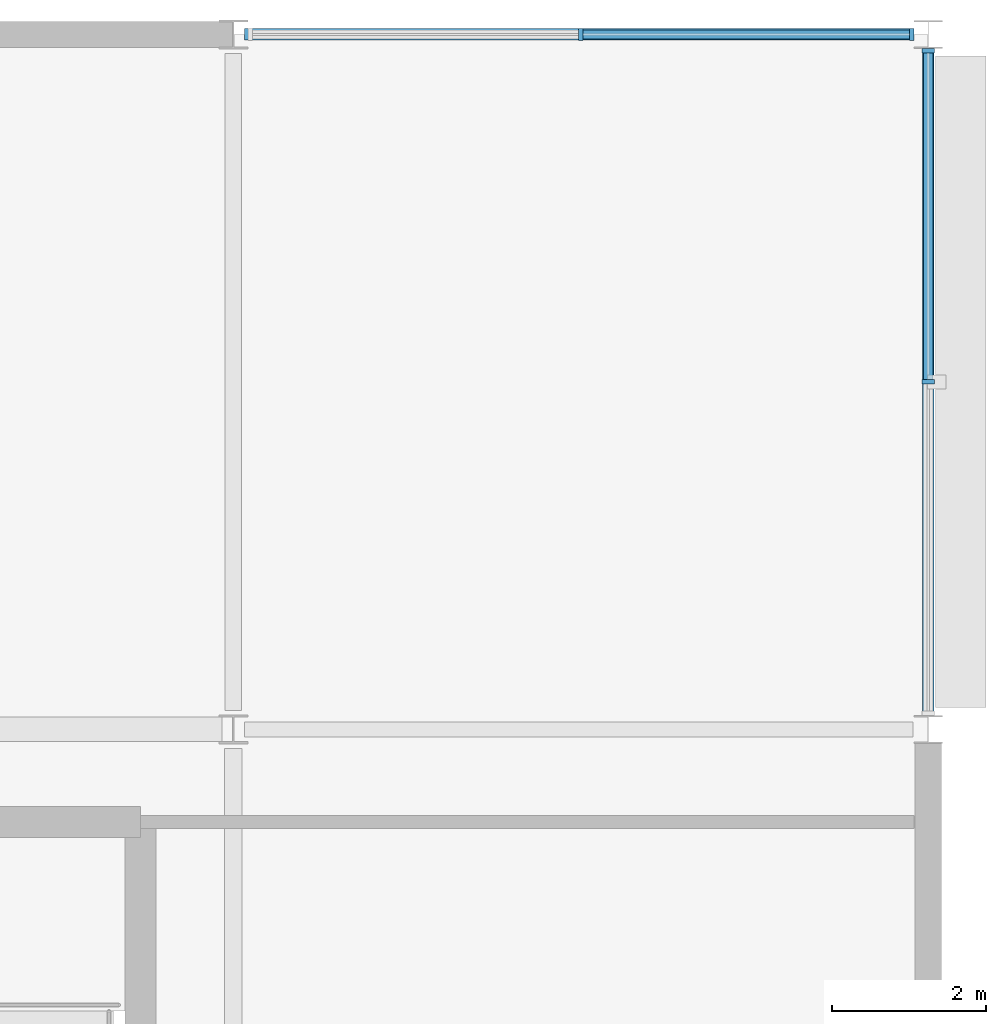
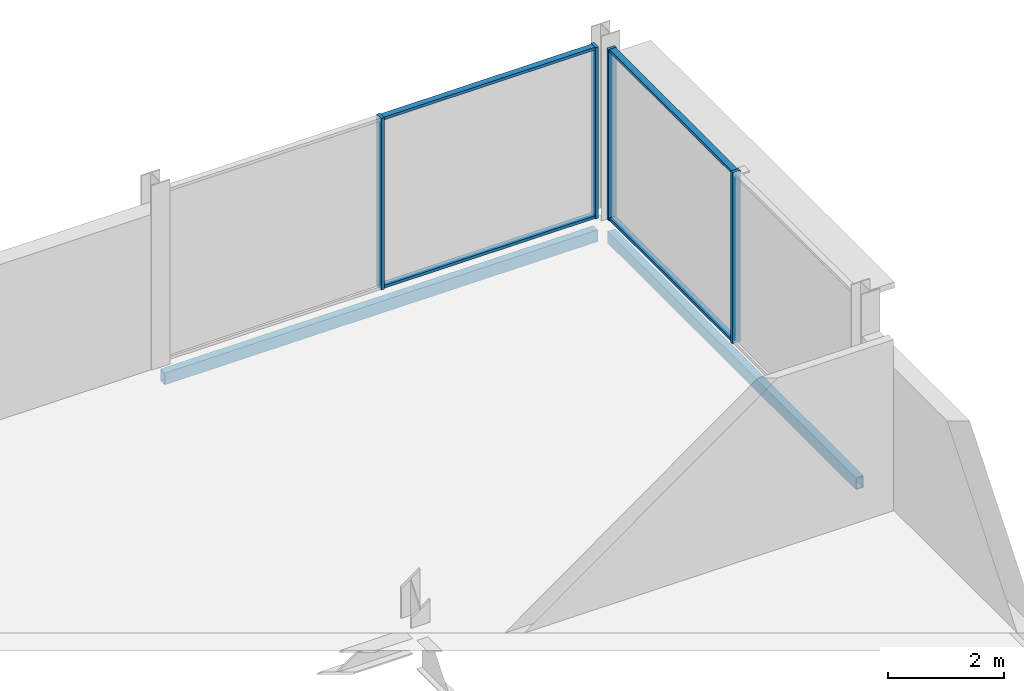
# One storey, part 53 of 98: 8 members, 2 beams, 2 elements without a shape of their own.
"""IFC4 building model written with IfcOpenShell, lengths in metres."""

from ifc_helpers import new_model, si_unit, direction, frame, origin, origin_2d, place, context, subcontext, project, spatial, rectangle, hollow_rectangle, extrude, material, layer, layer_set, material_profile, profile_set, type_object, element, aggregate, save


model = new_model("IFC4")

# Units and contexts
model_context = context("Model", 3, precision=1e-05, world=origin(), true_north=direction((0.0, 1.0)))
body_context = subcontext(model_context, "Body", "Model", "MODEL_VIEW")
ifc_project = project(units=[si_unit("LENGTHUNIT", "METRE"), si_unit("AREAUNIT", "SQUARE_METRE"), si_unit("VOLUMEUNIT", "CUBIC_METRE"), si_unit("PLANEANGLEUNIT", "RADIAN"), si_unit("MASSUNIT", "GRAM", prefix="KILO")], contexts=[model_context])

# Site, building, storey
site_placement = place(None, origin())
site = spatial("IfcSite", under=ifc_project, at=site_placement, CompositionType="ELEMENT")
building_placement = place(site_placement, origin())
building = spatial("IfcBuilding", under=site, at=building_placement, Name="Kisiwana Market Hall", CompositionType="ELEMENT")
storey_placement = place(building_placement, frame((0.0, 0.0, 29.39990234375)))
storey = spatial("IfcBuildingStorey", under=building, at=storey_placement, Name="L06", CompositionType="ELEMENT", Elevation=29.39990234375)

# Beams
ifc_material_1 = material(Name="Steel S355", Category="steel")
ifc_material_profile_1 = material_profile(ifc_material_1, hollow_rectangle(XDim=0.14990234375, YDim=0.25, WallThickness=0.010009765625, at=origin_2d()), Name="RHS 250x150x10.0")
ifc_profile_set_1 = profile_set([ifc_material_profile_1], Name="Steel S355")
beam_type = type_object("IfcBeamType", Name="BM-SPAN-RHS250", PredefinedType="SPANDREL", material=ifc_profile_set_1)
beam_1_placement = place(storey_placement, frame((189.14599609375, 111.0, -0.369873046875), z_axis=(1.0, 0.0, 0.0), x_axis=(0.0, 1.0, 0.0)))
element("IfcBeam", 1, at=beam_1_placement, inside=storey, type_object=beam_type, Name="Floor beam B-1848", PredefinedType="SPANDREL", context=body_context, shape_type="SweptSolid", body=[
    extrude(hollow_rectangle(XDim=0.14990234375, YDim=0.25, WallThickness=0.010009765625, at=origin_2d()), origin(), (0.0, 0.0, 1.0), 8.65478515625),
])
beam_2_placement = place(storey_placement, frame((198.0, 102.19921875, -0.369873046875), z_axis=(0.0, 1.0, 0.0), x_axis=(-1.0, 0.0, 0.0)))
element("IfcBeam", 2, at=beam_2_placement, inside=storey, type_object=beam_type, Name="Floor beam B-1876", PredefinedType="SPANDREL", context=body_context, shape_type="SweptSolid", body=[
    extrude(hollow_rectangle(XDim=0.14990234375, YDim=0.25, WallThickness=0.010009765625, at=origin_2d()), origin(), (0.0, 0.0, 1.0), 8.6015625),
])

# Curtain wall, members
ifc_material_2 = material(Name="Double-glazed solar-control low-E IGU", Category="glass")
ifc_layer = layer(ifc_material_2, 0.159912109375)
ifc_layer_set = layer_set([ifc_layer], Name="CW-ZNA-EW-8200")
curtain_wall_type = type_object("IfcCurtainWallType", Name="CW-ZNA-EW-8200", PredefinedType="USERDEFINED", material=ifc_layer_set)
curtain_wall_1_placement = place(storey_placement, origin())
curtain_wall_1 = element("IfcCurtainWall", 3, at=curtain_wall_1_placement, inside=storey, type_object=curtain_wall_type, Name="Unitised curtain wall CW-198 (L06)", ObjectType="UNITISED CURTAIN WALL", PredefinedType="USERDEFINED")
ifc_material_3 = material(Name="Aluminium alloy 6063-T6", Category="aluminium")
ifc_material_profile_2 = material_profile(ifc_material_3, rectangle(XDim=0.06005859375, YDim=0.159912109375, at=origin_2d()), Name="ALU MULLION 60x160")
ifc_profile_set_2 = profile_set([ifc_material_profile_2], Name="Aluminium alloy 6063-T6")
member_type_1 = type_object("IfcMemberType", Name="CW-MULL-60x160", PredefinedType="MULLION", material=ifc_profile_set_2)
member_1_placement = place(storey_placement, frame((193.501220703125, 111.0, 0.0), z_axis=(0.0, 0.0, 1.0), x_axis=(1.0, 0.0, 0.0)))
member_1 = element("IfcMember", 4, at=member_1_placement, type_object=member_type_1, Name="CW-198 mullion 2", PredefinedType="MULLION", context=body_context, shape_type="SweptSolid", body=[
    extrude(rectangle(XDim=0.06005859375, YDim=0.159912109375, at=origin_2d()), origin(), (0.0, 0.0, 1.0), 3.6201171875),
])
member_2_placement = place(storey_placement, frame((197.784912109375, 111.0, 0.0), z_axis=(0.0, 0.0, 1.0), x_axis=(1.0, 0.0, 0.0)))
member_2 = element("IfcMember", 5, at=member_2_placement, type_object=member_type_1, Name="CW-198 mullion 3", PredefinedType="MULLION", context=body_context, shape_type="SweptSolid", body=[
    extrude(rectangle(XDim=0.06005859375, YDim=0.159912109375, at=origin_2d()), origin(), (0.0, 0.0, 1.0), 3.6201171875),
])

curtain_wall_2_placement = place(storey_placement, origin())
curtain_wall_2 = element("IfcCurtainWall", 6, at=curtain_wall_2_placement, inside=storey, type_object=curtain_wall_type, Name="Unitised curtain wall CW-208 (L06)", ObjectType="UNITISED CURTAIN WALL", PredefinedType="USERDEFINED")
member_3_placement = place(storey_placement, frame((198.0, 106.5, 0.0), z_axis=(0.0, 0.0, 1.0), x_axis=(0.0, 1.0, 0.0)))
member_3 = element("IfcMember", 7, at=member_3_placement, type_object=member_type_1, Name="CW-208 mullion 2", PredefinedType="MULLION", context=body_context, shape_type="SweptSolid", body=[
    extrude(rectangle(XDim=0.06005859375, YDim=0.159912109375, at=origin_2d()), origin(), (0.0, 0.0, 1.0), 3.6201171875),
])
member_4_placement = place(storey_placement, frame((198.0, 110.7890625, 0.0), z_axis=(0.0, 0.0, 1.0), x_axis=(0.0, 1.0, 0.0)))
member_4 = element("IfcMember", 8, at=member_4_placement, type_object=member_type_1, Name="CW-208 mullion 3", PredefinedType="MULLION", context=body_context, shape_type="SweptSolid", body=[
    extrude(rectangle(XDim=0.06005859375, YDim=0.159912109375, at=origin_2d()), origin(), (0.0, 0.0, 1.0), 3.6201171875),
])

# Member
ifc_material_4 = material(Name="Aluminium alloy 6063-T6", Category="aluminium")
ifc_material_profile_3 = material_profile(ifc_material_4, rectangle(XDim=0.1201171875, YDim=0.06005859375, at=origin_2d()), Name="ALU TRANSOM 60x120")
ifc_profile_set_3 = profile_set([ifc_material_profile_3], Name="Aluminium alloy 6063-T6")
member_type_2 = type_object("IfcMemberType", Name="CW-TRAN-60x120", PredefinedType="USERDEFINED", material=ifc_profile_set_3)
member_5_placement = place(storey_placement, frame((193.531005859375, 111.0, 0.030029296875), z_axis=(1.0, 0.0, 0.0), x_axis=(0.0, 1.0, 0.0)))
member_5 = element("IfcMember", 9, at=member_5_placement, type_object=member_type_2, Name="CW-198 transom 2.1", ObjectType="TRANSOM", PredefinedType="USERDEFINED", context=body_context, shape_type="SweptSolid", body=[
    extrude(rectangle(XDim=0.1201171875, YDim=0.06005859375, at=origin_2d()), origin(), (0.0, 0.0, 1.0), 4.223876953125),
])

member_6_placement = place(storey_placement, frame((193.531005859375, 111.0, 3.590087890625), z_axis=(1.0, 0.0, 0.0), x_axis=(0.0, 1.0, 0.0)))
member_6 = element("IfcMember", 10, at=member_6_placement, type_object=member_type_2, Name="CW-198 transom 2.2", ObjectType="TRANSOM", PredefinedType="USERDEFINED", context=body_context, shape_type="SweptSolid", body=[
    extrude(rectangle(XDim=0.1201171875, YDim=0.06005859375, at=origin_2d()), origin(), (0.0, 0.0, 1.0), 4.223876953125),
])

aggregate(curtain_wall_1, [member_1, member_2, member_5, member_6])

member_7_placement = place(storey_placement, frame((198.0, 106.530029296875, 0.030029296875), z_axis=(0.0, 1.0, 0.0), x_axis=(-1.0, 0.0, 0.0)))
member_7 = element("IfcMember", 11, at=member_7_placement, type_object=member_type_2, Name="CW-208 transom 2.1", ObjectType="TRANSOM", PredefinedType="USERDEFINED", context=body_context, shape_type="SweptSolid", body=[
    extrude(rectangle(XDim=0.1201171875, YDim=0.06005859375, at=origin_2d()), origin(), (0.0, 0.0, 1.0), 4.22900390625),
])

member_8_placement = place(storey_placement, frame((198.0, 106.530029296875, 3.590087890625), z_axis=(0.0, 1.0, 0.0), x_axis=(-1.0, 0.0, 0.0)))
member_8 = element("IfcMember", 12, at=member_8_placement, type_object=member_type_2, Name="CW-208 transom 2.2", ObjectType="TRANSOM", PredefinedType="USERDEFINED", context=body_context, shape_type="SweptSolid", body=[
    extrude(rectangle(XDim=0.1201171875, YDim=0.06005859375, at=origin_2d()), origin(), (0.0, 0.0, 1.0), 4.22900390625),
])

aggregate(curtain_wall_2, [member_3, member_4, member_7, member_8])

save(model, "model.ifc")
